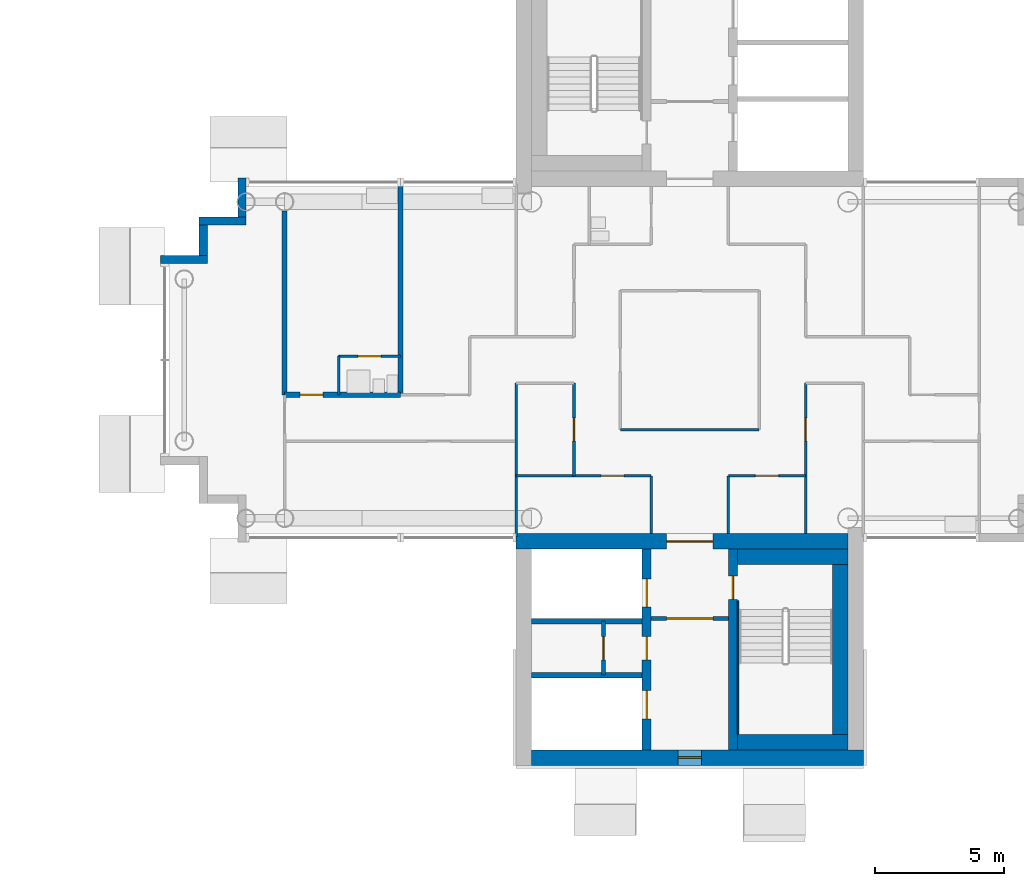
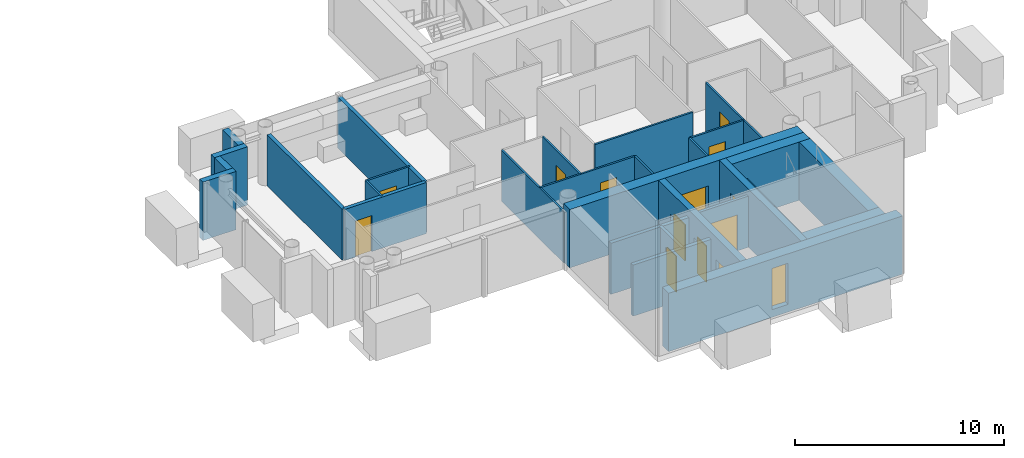
# One storey, part 9 of 18: 29 walls, 13 doors, 1 window, 14 openings.
"""IFC4 building model written with IfcOpenShell, lengths in metres."""

from ifc_helpers import new_model, si_unit, direction, frame, frame_2d, origin, place, context, subcontext, project, spatial, rectangle, extrude, material, layer, layer_set, type_object, element, fill, save


model = new_model("IFC4")

# Units and contexts
model_context = context("Model", 3, precision=1e-05, world=origin(), true_north=direction((0.0, 1.0)))
body_context = subcontext(model_context, "Body", "Model", "MODEL_VIEW")
ifc_project = project(units=[si_unit("LENGTHUNIT", "METRE"), si_unit("AREAUNIT", "SQUARE_METRE"), si_unit("VOLUMEUNIT", "CUBIC_METRE"), si_unit("PLANEANGLEUNIT", "RADIAN"), si_unit("MASSUNIT", "GRAM", prefix="KILO")], contexts=[model_context])

# Site, building, storey
site_placement = place(None, origin())
site = spatial("IfcSite", under=ifc_project, at=site_placement, CompositionType="ELEMENT")
building_placement = place(site_placement, origin())
building = spatial("IfcBuilding", under=site, at=building_placement, Name="Ipe Terrace Towers", CompositionType="ELEMENT")
storey_placement = place(building_placement, frame((0.0, 0.0, 230.0)))
storey = spatial("IfcBuildingStorey", under=building, at=storey_placement, Name="L64", CompositionType="ELEMENT", Elevation=230.0)

# Walls
ifc_material_1 = material(Name="Concrete C40/50 with buff precast cladding", Category="concrete")
ifc_layer_1 = layer(ifc_material_1, 0.320068359375)
ifc_layer_set_1 = layer_set([ifc_layer_1], Name="BUFF CLADDING WALL 320")
wall_type_1 = type_object("IfcWallType", Name="BUFF CLADDING WALL 320", PredefinedType="STANDARD", material=ifc_layer_set_1)
wall_1_placement = place(storey_placement, frame((18.590087890625, 7.070068359375, -0.300048828125), z_axis=(0.0, 0.0, 1.0), x_axis=(0.0, -1.0, 0.0)))
element("IfcWall", 1, at=wall_1_placement, inside=storey, type_object=wall_type_1, Name="T2-W-L64-22a wall", PredefinedType="STANDARD", context=body_context, shape_type="SweptSolid", body=[
    extrude(rectangle(XDim=1.5, YDim=0.320068359375, at=frame_2d((0.75, 0.0))), origin(), (0.0, 0.0, 1.0), 3.400146484375),
])
wall_2_placement = place(storey_placement, frame((18.75, 5.409912109375, -0.300048828125), z_axis=(0.0, 0.0, 1.0), x_axis=(-1.0, 0.0, 0.0)))
element("IfcWall", 2, at=wall_2_placement, inside=storey, type_object=wall_type_1, Name="T2-W-L64-23a wall", PredefinedType="STANDARD", context=body_context, shape_type="SweptSolid", body=[
    extrude(rectangle(XDim=1.820068359375, YDim=0.320068359375, at=frame_2d((0.91015625, 0.0))), origin(), (0.0, 0.0, 1.0), 3.400146484375),
])
wall_3_placement = place(storey_placement, frame((17.090087890625, 5.25, -0.300048828125), z_axis=(0.0, 0.0, 1.0), x_axis=(0.0, -1.0, 0.0)))
element("IfcWall", 3, at=wall_3_placement, inside=storey, type_object=wall_type_1, Name="T2-W-L64-24a wall", PredefinedType="STANDARD", context=body_context, shape_type="SweptSolid", body=[
    extrude(rectangle(XDim=1.179931640625, YDim=0.320068359375, at=frame_2d((0.58984375, 0.0))), origin(), (0.0, 0.0, 1.0), 3.400146484375),
])
wall_4_placement = place(storey_placement, frame((17.25, 3.909912109375, -0.300048828125), z_axis=(0.0, 0.0, 1.0), x_axis=(-1.0, 0.0, 0.0)))
element("IfcWall", 4, at=wall_4_placement, inside=storey, type_object=wall_type_1, Name="T2-W-L64-25a wall", PredefinedType="STANDARD", context=body_context, shape_type="SweptSolid", body=[
    extrude(rectangle(XDim=1.820068359375, YDim=0.320068359375, at=frame_2d((0.91015625, 0.0))), origin(), (0.0, 0.0, 1.0), 3.400146484375),
])

# Wall, opening, door
ifc_material_2 = material(Name="Gypsum board partition", Category="plasterboard")
ifc_layer_2 = layer(ifc_material_2, 0.10009765625)
ifc_layer_set_2 = layer_set([ifc_layer_2], Name="Gypsum board partition 100 mm")
wall_type_2 = type_object("IfcWallType", Name="Gypsum board partition 100 mm", PredefinedType="PARTITIONING", material=ifc_layer_set_2)
wall_5_placement = place(storey_placement, frame((40.5, -4.5, 0.0), z_axis=(0.0, 0.0, 1.0), x_axis=(-1.0, 0.0, 0.0)))
wall_5 = element("IfcWall", 5, at=wall_5_placement, inside=storey, type_object=wall_type_2, Name="Gypsum board partition T2 L64 W01", PredefinedType="PARTITIONING", context=body_context, shape_type="SweptSolid", body=[
    extrude(rectangle(XDim=3.0, YDim=0.10009765625, at=frame_2d((1.5, 0.0))), origin(), (0.0, 0.0, 1.0), 2.97998046875),
])
opening_1_placement = place(wall_5_placement, frame((1.050048828125, 0.0, 0.0)))
opening_1 = element("IfcOpeningElement", 6, at=opening_1_placement, cuts=wall_5, Name="Opening T2-Z4B-08", PredefinedType="OPENING", context=body_context, shape_type="SweptSolid", body=[
    extrude(rectangle(XDim=0.89990234375, YDim=2.10009765625, at=frame_2d((0.449951171875, 1.050048828125))), frame((0.0, 0.06005859375, 0.0), z_axis=(0.0, -1.0, 0.0), x_axis=(1.0, 0.0, 0.0)), (0.0, 0.0, 1.0), 0.1201171875),
])
ifc_material_3 = material(Name="Timber door leaf", Category="wood")
door_type_1 = type_object("IfcDoorType", Name="Lounge door 900 x 2100", OperationType="NOTDEFINED", PredefinedType="DOOR", material=ifc_material_3)
door_1_placement = place(opening_1_placement, origin())
door_1 = element("IfcDoor", 7, at=door_1_placement, inside=storey, type_object=door_type_1, Name="Lounge door T2-Z4B-08", OperationType="SINGLE_SWING_LEFT", OverallHeight=2.10009765625, OverallWidth=0.89990234375, PredefinedType="DOOR", context=body_context, shape_type="SweptSolid", body=[
    extrude(rectangle(XDim=0.89990234375, YDim=2.10009765625, at=frame_2d((0.449951171875, 1.050048828125))), frame((0.0, 0.02490234375, 0.0), z_axis=(0.0, -1.0, 0.0), x_axis=(1.0, 0.0, 0.0)), (0.0, 0.0, 1.0), 0.050048828125),
])
fill(opening_1, door_1)

wall_6_placement = place(storey_placement, frame((34.5, -4.5, 0.0), z_axis=(0.0, 0.0, 1.0), x_axis=(-1.0, 0.0, 0.0)))
wall_6 = element("IfcWall", 8, at=wall_6_placement, inside=storey, type_object=wall_type_2, Name="Gypsum board partition T2 L64 W02", PredefinedType="PARTITIONING", context=body_context, shape_type="SweptSolid", body=[
    extrude(rectangle(XDim=5.25, YDim=0.10009765625, at=frame_2d((2.625, 0.0))), origin(), (0.0, 0.0, 1.0), 2.97998046875),
])
opening_2_placement = place(wall_6_placement, frame((1.050048828125, 0.0, 0.0)))
opening_2 = element("IfcOpeningElement", 9, at=opening_2_placement, cuts=wall_6, Name="Opening T2-Z4B-06", PredefinedType="OPENING", context=body_context, shape_type="SweptSolid", body=[
    extrude(rectangle(XDim=0.89990234375, YDim=2.10009765625, at=frame_2d((0.449951171875, 1.050048828125))), frame((0.0, 0.06005859375, 0.0), z_axis=(0.0, -1.0, 0.0), x_axis=(1.0, 0.0, 0.0)), (0.0, 0.0, 1.0), 0.1201171875),
])
door_2_placement = place(opening_2_placement, origin())
door_2 = element("IfcDoor", 10, at=door_2_placement, inside=storey, type_object=door_type_1, Name="Lounge door T2-Z4B-06", OperationType="SINGLE_SWING_RIGHT", OverallHeight=2.10009765625, OverallWidth=0.89990234375, PredefinedType="DOOR", context=body_context, shape_type="SweptSolid", body=[
    extrude(rectangle(XDim=0.89990234375, YDim=2.10009765625, at=frame_2d((0.449951171875, 1.050048828125))), frame((0.0, 0.02490234375, 0.0), z_axis=(0.0, -1.0, 0.0), x_axis=(1.0, 0.0, 0.0)), (0.0, 0.0, 1.0), 0.050048828125),
])
fill(opening_2, door_2)

# Wall
wall_7_placement = place(storey_placement, frame((38.699951171875, -2.699951171875, 0.0), z_axis=(0.0, 0.0, 1.0), x_axis=(-1.0, 0.0, 0.0)))
element("IfcWall", 11, at=wall_7_placement, inside=storey, type_object=wall_type_2, Name="Gypsum board partition T2 L64 W05", PredefinedType="PARTITIONING", context=body_context, shape_type="SweptSolid", body=[
    extrude(rectangle(XDim=5.39990234375, YDim=0.10009765625, at=frame_2d((2.699951171875, 0.0))), origin(), (0.0, 0.0, 1.0), 2.97998046875),
])

# Wall, opening, door
wall_8_placement = place(storey_placement, frame((24.75, 0.14990234375, 0.0), z_axis=(0.0, 0.0, 1.0), x_axis=(-1.0, 0.0, 0.0)))
wall_8 = element("IfcWall", 12, at=wall_8_placement, inside=storey, type_object=wall_type_2, Name="Gypsum board partition T2 L64 W11", PredefinedType="PARTITIONING", context=body_context, shape_type="SweptSolid", body=[
    extrude(rectangle(XDim=2.39990234375, YDim=0.10009765625, at=frame_2d((1.199951171875, 0.0))), origin(), (0.0, 0.0, 1.0), 2.97998046875),
])
opening_3_placement = place(wall_8_placement, frame((0.75, 0.0, 0.0)))
opening_3 = element("IfcOpeningElement", 13, at=opening_3_placement, cuts=wall_8, Name="Opening T2-Z4B-13", PredefinedType="OPENING", context=body_context, shape_type="SweptSolid", body=[
    extrude(rectangle(XDim=0.89990234375, YDim=2.10009765625, at=frame_2d((0.449951171875, 1.050048828125))), frame((0.0, 0.06005859375, 0.0), z_axis=(0.0, -1.0, 0.0), x_axis=(1.0, 0.0, 0.0)), (0.0, 0.0, 1.0), 0.1201171875),
])
ifc_material_4 = material(Name="Timber door leaf", Category="wood")
door_type_2 = type_object("IfcDoorType", Name="Bathroom door 900 x 2100", OperationType="NOTDEFINED", PredefinedType="DOOR", material=ifc_material_4)
door_3_placement = place(opening_3_placement, origin())
door_3 = element("IfcDoor", 14, at=door_3_placement, inside=storey, type_object=door_type_2, Name="Bathroom door T2-Z4B-13", OperationType="SINGLE_SWING_RIGHT", OverallHeight=2.10009765625, OverallWidth=0.89990234375, PredefinedType="DOOR", context=body_context, shape_type="SweptSolid", body=[
    extrude(rectangle(XDim=0.89990234375, YDim=2.10009765625, at=frame_2d((0.449951171875, 1.050048828125))), frame((0.0, 0.02490234375, 0.0), z_axis=(0.0, -1.0, 0.0), x_axis=(1.0, 0.0, 0.0)), (0.0, 0.0, 1.0), 0.050048828125),
])
fill(opening_3, door_3)

wall_9_placement = place(storey_placement, frame((40.5, -6.75, 0.0), z_axis=(0.0, 0.0, 1.0), x_axis=(0.0, 1.0, 0.0)))
wall_9 = element("IfcWall", 15, at=wall_9_placement, inside=storey, type_object=wall_type_2, Name="Gypsum board partition T2 L64 W21", PredefinedType="PARTITIONING", context=body_context, shape_type="SweptSolid", body=[
    extrude(rectangle(XDim=5.85009765625, YDim=0.10009765625, at=frame_2d((2.925048828125, 0.0))), origin(), (0.0, 0.0, 1.0), 2.97998046875),
])
opening_4_placement = place(wall_9_placement, frame((3.60009765625, 0.0, 0.0)))
opening_4 = element("IfcOpeningElement", 16, at=opening_4_placement, cuts=wall_9, Name="Opening T2-Z4B-07", PredefinedType="OPENING", context=body_context, shape_type="SweptSolid", body=[
    extrude(rectangle(XDim=0.89990234375, YDim=2.10009765625, at=frame_2d((0.449951171875, 1.050048828125))), frame((0.0, 0.06005859375, 0.0), z_axis=(0.0, -1.0, 0.0), x_axis=(1.0, 0.0, 0.0)), (0.0, 0.0, 1.0), 0.1201171875),
])
door_4_placement = place(opening_4_placement, origin())
door_4 = element("IfcDoor", 17, at=door_4_placement, inside=storey, type_object=door_type_1, Name="Lounge door T2-Z4B-07", OperationType="SINGLE_SWING_RIGHT", OverallHeight=2.10009765625, OverallWidth=0.89990234375, PredefinedType="DOOR", context=body_context, shape_type="SweptSolid", body=[
    extrude(rectangle(XDim=0.89990234375, YDim=2.10009765625, at=frame_2d((0.449951171875, 1.050048828125))), frame((0.0, 0.02490234375, 0.0), z_axis=(0.0, -1.0, 0.0), x_axis=(1.0, 0.0, 0.0)), (0.0, 0.0, 1.0), 0.050048828125),
])
fill(opening_4, door_4)

# Walls
for number, where, z_axis, x_axis, name in (
    (18, (37.5, -6.75, 0.0), (0.0, 0.0, 1.0), (0.0, 1.0, 0.0), "Gypsum board partition T2 L64 W24"),
    (19, (34.5, -6.75, 0.0), (0.0, 0.0, 1.0), (0.0, 1.0, 0.0), "Gypsum board partition T2 L64 W26"),
):
    element("IfcWall", number, at=place(storey_placement, frame(where, z_axis=z_axis, x_axis=x_axis)), inside=storey, type_object=wall_type_2, Name=name, PredefinedType="PARTITIONING", context=body_context, shape_type="SweptSolid", body=[
        extrude(rectangle(XDim=2.25, YDim=0.10009765625, at=frame_2d((1.125, 0.0))), origin(), (0.0, 0.0, 1.0), 2.97998046875),
    ])

# Wall, opening, door
wall_10_placement = place(storey_placement, frame((31.5, -4.5, 0.0), z_axis=(0.0, 0.0, 1.0), x_axis=(0.0, 1.0, 0.0)))
wall_10 = element("IfcWall", 20, at=wall_10_placement, inside=storey, type_object=wall_type_2, Name="Gypsum board partition T2 L64 W30", PredefinedType="PARTITIONING", context=body_context, shape_type="SweptSolid", body=[
    extrude(rectangle(XDim=3.60009765625, YDim=0.10009765625, at=frame_2d((1.800048828125, 0.0))), origin(), (0.0, 0.0, 1.0), 2.97998046875),
])
opening_5_placement = place(wall_10_placement, frame((1.35009765625, 0.0, 0.0)))
opening_5 = element("IfcOpeningElement", 21, at=opening_5_placement, cuts=wall_10, Name="Opening T2-Z4B-05", PredefinedType="OPENING", context=body_context, shape_type="SweptSolid", body=[
    extrude(rectangle(XDim=0.89990234375, YDim=2.10009765625, at=frame_2d((0.449951171875, 1.050048828125))), frame((0.0, 0.06005859375, 0.0), z_axis=(0.0, -1.0, 0.0), x_axis=(1.0, 0.0, 0.0)), (0.0, 0.0, 1.0), 0.1201171875),
])
door_5_placement = place(opening_5_placement, origin())
door_5 = element("IfcDoor", 22, at=door_5_placement, inside=storey, type_object=door_type_1, Name="Lounge door T2-Z4B-05", OperationType="SINGLE_SWING_RIGHT", OverallHeight=2.10009765625, OverallWidth=0.89990234375, PredefinedType="DOOR", context=body_context, shape_type="SweptSolid", body=[
    extrude(rectangle(XDim=0.89990234375, YDim=2.10009765625, at=frame_2d((0.449951171875, 1.050048828125))), frame((0.0, 0.02490234375, 0.0), z_axis=(0.0, -1.0, 0.0), x_axis=(1.0, 0.0, 0.0)), (0.0, 0.0, 1.0), 0.050048828125),
])
fill(opening_5, door_5)

# Walls
wall_11_placement = place(storey_placement, frame((29.25, -6.85009765625, 0.0), z_axis=(0.0, 0.0, 1.0), x_axis=(0.0, 1.0, 0.0)))
element("IfcWall", 23, at=wall_11_placement, inside=storey, type_object=wall_type_2, Name="Gypsum board partition T2 L64 W32", PredefinedType="PARTITIONING", context=body_context, shape_type="SweptSolid", body=[
    extrude(rectangle(XDim=5.9501953125, YDim=0.10009765625, at=frame_2d((2.97509765625, 0.0))), origin(), (0.0, 0.0, 1.0), 2.97998046875),
])
wall_12_placement = place(storey_placement, frame((22.35009765625, -1.35009765625, 0.0), z_axis=(0.0, 0.0, 1.0), x_axis=(0.0, 1.0, 0.0)))
element("IfcWall", 24, at=wall_12_placement, inside=storey, type_object=wall_type_2, Name="Gypsum board partition T2 L64 W36", PredefinedType="PARTITIONING", context=body_context, shape_type="SweptSolid", body=[
    extrude(rectangle(XDim=1.5, YDim=0.10009765625, at=frame_2d((0.75, 0.0))), origin(), (0.0, 0.0, 1.0), 2.97998046875),
])

# Wall, opening, door
ifc_material_5 = material(Name="Gypsum board partition", Category="plasterboard")
ifc_layer_3 = layer(ifc_material_5, 0.14990234375)
ifc_layer_set_3 = layer_set([ifc_layer_3], Name="Gypsum board partition 150 mm")
wall_type_3 = type_object("IfcWallType", Name="Gypsum board partition 150 mm", PredefinedType="PARTITIONING", material=ifc_layer_set_3)
wall_13_placement = place(storey_placement, frame((34.5, -10.050048828125, 0.0), z_axis=(0.0, 0.0, 1.0), x_axis=(1.0, 0.0, 0.0)))
wall_13 = element("IfcWall", 25, at=wall_13_placement, inside=storey, type_object=wall_type_3, Name="Gypsum board partition T2 L64 t2c2-lobby-wall", PredefinedType="PARTITIONING", context=body_context, shape_type="SweptSolid", body=[
    extrude(rectangle(XDim=3.0, YDim=0.14990234375, at=frame_2d((1.5, 0.0))), origin(), (0.0, 0.0, 1.0), 2.97998046875),
])
opening_6_placement = place(wall_13_placement, frame((0.60009765625, 0.0, 0.0)))
opening_6 = element("IfcOpeningElement", 26, at=opening_6_placement, cuts=wall_13, Name="Opening T2C2-VD", PredefinedType="OPENING", context=body_context, shape_type="SweptSolid", body=[
    extrude(rectangle(XDim=1.800048828125, YDim=2.10009765625, at=frame_2d((0.89990234375, 1.050048828125))), frame((0.0, 0.0849609375, 0.0), z_axis=(0.0, -1.0, 0.0), x_axis=(1.0, 0.0, 0.0)), (0.0, 0.0, 1.0), 0.169921875),
])
ifc_material_6 = material(Name="Fire-rated timber door leaf", Category="wood")
door_type_3 = type_object("IfcDoorType", Name="Lobby door 1800 x 2100 FD60", OperationType="NOTDEFINED", PredefinedType="DOOR", material=ifc_material_6)
door_6_placement = place(opening_6_placement, origin())
door_6 = element("IfcDoor", 27, at=door_6_placement, inside=storey, type_object=door_type_3, Name="Lobby door T2C2-VD", OperationType="SINGLE_SWING_LEFT", OverallHeight=2.10009765625, OverallWidth=1.800048828125, PredefinedType="DOOR", context=body_context, shape_type="SweptSolid", body=[
    extrude(rectangle(XDim=1.800048828125, YDim=2.10009765625, at=frame_2d((0.89990234375, 1.050048828125))), frame((0.0, 0.02490234375, 0.0), z_axis=(0.0, -1.0, 0.0), x_axis=(1.0, 0.0, 0.0)), (0.0, 0.0, 1.0), 0.050048828125),
])
fill(opening_6, door_6)

wall_14_placement = place(storey_placement, frame((32.64990234375, -10.14990234375, 0.0), z_axis=(0.0, 0.0, 1.0), x_axis=(0.0, -1.0, 0.0)))
wall_14 = element("IfcWall", 28, at=wall_14_placement, inside=storey, type_object=wall_type_3, Name="Gypsum board partition T2 L64 t2c2-q-back", PredefinedType="PARTITIONING", context=body_context, shape_type="SweptSolid", body=[
    extrude(rectangle(XDim=2.10009765625, YDim=0.14990234375, at=frame_2d((1.050048828125, 0.0))), origin(), (0.0, 0.0, 1.0), 2.97998046875),
])
opening_7_placement = place(wall_14_placement, frame((0.60009765625, 0.0, 0.0)))
opening_7 = element("IfcOpeningElement", 29, at=opening_7_placement, cuts=wall_14, Name="Opening T2C2-RB-FD30S", PredefinedType="OPENING", context=body_context, shape_type="SweptSolid", body=[
    extrude(rectangle(XDim=0.89990234375, YDim=2.10009765625, at=frame_2d((0.449951171875, 1.050048828125))), frame((0.0, 0.0849609375, 0.0), z_axis=(0.0, -1.0, 0.0), x_axis=(1.0, 0.0, 0.0)), (0.0, 0.0, 1.0), 0.169921875),
])
ifc_material_7 = material(Name="Fire-rated timber door leaf", Category="wood")
door_type_4 = type_object("IfcDoorType", Name="Service door 900 x 2100 FD30S", OperationType="NOTDEFINED", PredefinedType="DOOR", material=ifc_material_7)
door_7_placement = place(opening_7_placement, origin())
door_7 = element("IfcDoor", 30, at=door_7_placement, inside=storey, type_object=door_type_4, Name="Service door T2C2-RB-FD30S", OperationType="SINGLE_SWING_LEFT", OverallHeight=2.10009765625, OverallWidth=0.89990234375, PredefinedType="DOOR", context=body_context, shape_type="SweptSolid", body=[
    extrude(rectangle(XDim=0.89990234375, YDim=2.10009765625, at=frame_2d((0.449951171875, 1.050048828125))), frame((0.0, 0.02490234375, 0.0), z_axis=(0.0, -1.0, 0.0), x_axis=(1.0, 0.0, 0.0)), (0.0, 0.0, 1.0), 0.050048828125),
])
fill(opening_7, door_7)

# Walls
ifc_material_8 = material(Name="Gypsum board party wall", Category="plasterboard")
ifc_layer_4 = layer(ifc_material_8, 0.199951171875)
ifc_layer_set_4 = layer_set([ifc_layer_4], Name="Gypsum board party wall 200 mm")
wall_type_4 = type_object("IfcWallType", Name="Gypsum board party wall 200 mm", PredefinedType="SOLIDWALL", material=ifc_layer_set_4)
for number, where, z_axis, x_axis, name in (
    (31, (29.85009765625, -12.25, 0.0), (0.0, 0.0, 1.0), (1.0, 0.0, 0.0), "Gypsum board party wall T2 L64 t2c2-shaft-div2"),
    (32, (29.85009765625, -10.14990234375, 0.0), (0.0, 0.0, 1.0), (1.0, 0.0, 0.0), "Gypsum board party wall T2 L64 t2c2-shaft-div1"),
):
    element("IfcWall", number, at=place(storey_placement, frame(where, z_axis=z_axis, x_axis=x_axis)), inside=storey, type_object=wall_type_4, Name=name, PredefinedType="SOLIDWALL", context=body_context, shape_type="SweptSolid", body=[
        extrude(rectangle(XDim=4.2998046875, YDim=0.199951171875, at=frame_2d((2.14990234375, 0.0))), origin(), (0.0, 0.0, 1.0), 2.97998046875),
    ])

# Wall, opening, door
wall_15_placement = place(storey_placement, frame((24.75, -1.35009765625, 0.0), z_axis=(0.0, 0.0, 1.0), x_axis=(-1.0, 0.0, 0.0)))
wall_15 = element("IfcWall", 33, at=wall_15_placement, inside=storey, type_object=wall_type_4, Name="Gypsum board party wall T2 L64 W08", PredefinedType="SOLIDWALL", context=body_context, shape_type="SweptSolid", body=[
    extrude(rectangle(XDim=4.5, YDim=0.199951171875, at=frame_2d((2.25, 0.0))), origin(), (0.0, 0.0, 1.0), 2.97998046875),
])
opening_8_placement = place(wall_15_placement, frame((3.0, 0.0, 0.0)))
opening_8 = element("IfcOpeningElement", 34, at=opening_8_placement, cuts=wall_15, Name="Opening T2-Z4B-12", PredefinedType="OPENING", context=body_context, shape_type="SweptSolid", body=[
    extrude(rectangle(XDim=0.89990234375, YDim=2.10009765625, at=frame_2d((0.449951171875, 1.050048828125))), frame((0.0, 0.10986328125, 0.0), z_axis=(0.0, -1.0, 0.0), x_axis=(1.0, 0.0, 0.0)), (0.0, 0.0, 1.0), 0.219970703125),
])
ifc_material_9 = material(Name="Fire-rated timber door leaf", Category="wood")
door_type_5 = type_object("IfcDoorType", Name="Flat entrance door 900 x 2100 FD30S", OperationType="NOTDEFINED", PredefinedType="DOOR", material=ifc_material_9)
door_8_placement = place(opening_8_placement, origin())
door_8 = element("IfcDoor", 35, at=door_8_placement, inside=storey, type_object=door_type_5, Name="Flat entrance door T2-Z4B-12", OperationType="SINGLE_SWING_RIGHT", OverallHeight=2.10009765625, OverallWidth=0.89990234375, PredefinedType="DOOR", context=body_context, shape_type="SweptSolid", body=[
    extrude(rectangle(XDim=0.89990234375, YDim=2.10009765625, at=frame_2d((0.449951171875, 1.050048828125))), frame((0.0, 0.02490234375, 0.0), z_axis=(0.0, -1.0, 0.0), x_axis=(1.0, 0.0, 0.0)), (0.0, 0.0, 1.0), 0.050048828125),
])
fill(opening_8, door_8)

# Walls
wall_16_placement = place(storey_placement, frame((24.75, -1.35009765625, 0.0), z_axis=(0.0, 0.0, 1.0), x_axis=(0.0, 1.0, 0.0)))
element("IfcWall", 36, at=wall_16_placement, inside=storey, type_object=wall_type_4, Name="Gypsum board party wall T2 L64 W35", PredefinedType="SOLIDWALL", context=body_context, shape_type="SweptSolid", body=[
    extrude(rectangle(XDim=8.2001953125, YDim=0.199951171875, at=frame_2d((4.10009765625, 0.0))), origin(), (0.0, 0.0, 1.0), 2.97998046875),
])
wall_17_placement = place(storey_placement, frame((20.25, -1.35009765625, 0.0), z_axis=(0.0, 0.0, 1.0), x_axis=(0.0, 1.0, 0.0)))
element("IfcWall", 37, at=wall_17_placement, inside=storey, type_object=wall_type_4, Name="Gypsum board party wall T2 L64 W38", PredefinedType="SOLIDWALL", context=body_context, shape_type="SweptSolid", body=[
    extrude(rectangle(XDim=7.150146484375, YDim=0.199951171875, at=frame_2d((3.5751953125, 0.0))), origin(), (0.0, 0.0, 1.0), 2.97998046875),
])

# Wall, openings, doors
ifc_material_10 = material(Name="Concrete C40/50", Category="concrete")
ifc_layer_5 = layer(ifc_material_10, 0.35009765625)
ifc_layer_set_5 = layer_set([ifc_layer_5], Name="RW350 CORE SPINE WALL 350 C40-50")
wall_type_5 = type_object("IfcWallType", Name="RW350 CORE SPINE WALL 350 C40-50", PredefinedType="SHEAR", material=ifc_layer_set_5)
wall_18_placement = place(storey_placement, frame((34.324951171875, -15.14990234375, 0.0), z_axis=(0.0, 0.0, 1.0), x_axis=(0.0, 1.0, 0.0)))
wall_18 = element("IfcWall", 38, at=wall_18_placement, inside=storey, type_object=wall_type_5, Name="Core spine wall T2-C2-Z4-SW1", PredefinedType="SHEAR", context=body_context, shape_type="SweptSolid", body=[
    extrude(rectangle(XDim=7.7998046875, YDim=0.35009765625, at=frame_2d((3.89990234375, 0.0))), origin(), (0.0, 0.0, 1.0), 3.39990234375),
])
opening_9_placement = place(wall_18_placement, frame((5.550048828125, 0.0, 0.0)))
opening_9 = element("IfcOpeningElement", 39, at=opening_9_placement, cuts=wall_18, Name="Opening T2C2-LD1", PredefinedType="OPENING", context=body_context, shape_type="SweptSolid", body=[
    extrude(rectangle(XDim=1.10009765625, YDim=2.10009765625, at=frame_2d((0.550048828125, 1.050048828125))), frame((0.0, 0.18505859375, 0.0), z_axis=(0.0, -1.0, 0.0), x_axis=(1.0, 0.0, 0.0)), (0.0, 0.0, 1.0), 0.3701171875),
])
opening_10_placement = place(wall_18_placement, frame((1.199951171875, 0.0, 0.0)))
opening_10 = element("IfcOpeningElement", 40, at=opening_10_placement, cuts=wall_18, Name="Opening T2C2-LD3", PredefinedType="OPENING", context=body_context, shape_type="SweptSolid", body=[
    extrude(rectangle(XDim=1.10009765625, YDim=2.10009765625, at=frame_2d((0.550048828125, 1.050048828125))), frame((0.0, 0.18505859375, 0.0), z_axis=(0.0, -1.0, 0.0), x_axis=(1.0, 0.0, 0.0)), (0.0, 0.0, 1.0), 0.3701171875),
])
opening_11_placement = place(wall_18_placement, frame((3.5, 0.0, 0.0)))
opening_11 = element("IfcOpeningElement", 41, at=opening_11_placement, cuts=wall_18, Name="Opening T2C2-R1", PredefinedType="OPENING", context=body_context, shape_type="SweptSolid", body=[
    extrude(rectangle(XDim=0.89990234375, YDim=2.10009765625, at=frame_2d((0.449951171875, 1.050048828125))), frame((0.0, 0.18505859375, 0.0), z_axis=(0.0, -1.0, 0.0), x_axis=(1.0, 0.0, 0.0)), (0.0, 0.0, 1.0), 0.3701171875),
])
ifc_material_11 = material(Name="Fire-rated timber door leaf", Category="wood")
door_type_6 = type_object("IfcDoorType", Name="Sliding door 1100 x 2100 FD60", OperationType="SLIDING_TO_LEFT", PredefinedType="DOOR", material=ifc_material_11)
door_9_placement = place(opening_9_placement, origin())
door_9 = element("IfcDoor", 42, at=door_9_placement, inside=storey, type_object=door_type_6, Name="Sliding door T2C2-LD1", OperationType="SLIDING_TO_LEFT", OverallHeight=2.10009765625, OverallWidth=1.10009765625, PredefinedType="DOOR", context=body_context, shape_type="SweptSolid", body=[
    extrude(rectangle(XDim=1.10009765625, YDim=2.10009765625, at=frame_2d((0.550048828125, 1.050048828125))), frame((0.0, 0.02490234375, 0.0), z_axis=(0.0, -1.0, 0.0), x_axis=(1.0, 0.0, 0.0)), (0.0, 0.0, 1.0), 0.050048828125),
])
fill(opening_9, door_9)
door_10_placement = place(opening_10_placement, origin())
door_10 = element("IfcDoor", 43, at=door_10_placement, inside=storey, type_object=door_type_6, Name="Sliding door T2C2-LD3", OperationType="SLIDING_TO_LEFT", OverallHeight=2.10009765625, OverallWidth=1.10009765625, PredefinedType="DOOR", context=body_context, shape_type="SweptSolid", body=[
    extrude(rectangle(XDim=1.10009765625, YDim=2.10009765625, at=frame_2d((0.550048828125, 1.050048828125))), frame((0.0, 0.02490234375, 0.0), z_axis=(0.0, -1.0, 0.0), x_axis=(1.0, 0.0, 0.0)), (0.0, 0.0, 1.0), 0.050048828125),
])
fill(opening_10, door_10)
ifc_material_12 = material(Name="Timber door leaf", Category="wood")
door_type_7 = type_object("IfcDoorType", Name="Store door 900 x 2100", OperationType="NOTDEFINED", PredefinedType="DOOR", material=ifc_material_12)
door_11_placement = place(opening_11_placement, origin())
door_11 = element("IfcDoor", 44, at=door_11_placement, inside=storey, type_object=door_type_7, Name="Store door T2C2-R1", OperationType="SINGLE_SWING_LEFT", OverallHeight=2.10009765625, OverallWidth=0.89990234375, PredefinedType="DOOR", context=body_context, shape_type="SweptSolid", body=[
    extrude(rectangle(XDim=0.89990234375, YDim=2.10009765625, at=frame_2d((0.449951171875, 1.050048828125))), frame((0.0, 0.02490234375, 0.0), z_axis=(0.0, -1.0, 0.0), x_axis=(1.0, 0.0, 0.0)), (0.0, 0.0, 1.0), 0.050048828125),
])
fill(opening_11, door_11)

# Wall, opening, door
wall_19_placement = place(storey_placement, frame((37.675048828125, -15.14990234375, 0.0), z_axis=(0.0, 0.0, 1.0), x_axis=(0.0, 1.0, 0.0)))
wall_19 = element("IfcWall", 45, at=wall_19_placement, inside=storey, type_object=wall_type_5, Name="Core spine wall T2-C2-Z4-SW2", PredefinedType="SHEAR", context=body_context, shape_type="SweptSolid", body=[
    extrude(rectangle(XDim=7.7998046875, YDim=0.35009765625, at=frame_2d((3.89990234375, 0.0))), origin(), (0.0, 0.0, 1.0), 3.39990234375),
])
opening_12_placement = place(wall_19_placement, frame((5.85009765625, 0.0, 0.0)))
opening_12 = element("IfcOpeningElement", 46, at=opening_12_placement, cuts=wall_19, Name="Opening T2C2-SD", PredefinedType="OPENING", context=body_context, shape_type="SweptSolid", body=[
    extrude(rectangle(XDim=0.89990234375, YDim=2.10009765625, at=frame_2d((0.449951171875, 1.050048828125))), frame((0.0, 0.18505859375, 0.0), z_axis=(0.0, -1.0, 0.0), x_axis=(1.0, 0.0, 0.0)), (0.0, 0.0, 1.0), 0.3701171875),
])
ifc_material_13 = material(Name="Fire-rated timber door leaf", Category="wood")
door_type_8 = type_object("IfcDoorType", Name="Stair door 900 x 2100 FD60", OperationType="NOTDEFINED", PredefinedType="DOOR", material=ifc_material_13)
door_12_placement = place(opening_12_placement, origin())
door_12 = element("IfcDoor", 47, at=door_12_placement, inside=storey, type_object=door_type_8, Name="Stair door T2C2-SD", OperationType="SINGLE_SWING_RIGHT", OverallHeight=2.10009765625, OverallWidth=0.89990234375, PredefinedType="DOOR", context=body_context, shape_type="SweptSolid", body=[
    extrude(rectangle(XDim=0.89990234375, YDim=2.10009765625, at=frame_2d((0.449951171875, 1.050048828125))), frame((0.0, 0.02490234375, 0.0), z_axis=(0.0, -1.0, 0.0), x_axis=(1.0, 0.0, 0.0)), (0.0, 0.0, 1.0), 0.050048828125),
])
fill(opening_12, door_12)

# Walls
ifc_material_14 = material(Name="Concrete C40/50", Category="concrete")
ifc_layer_6 = layer(ifc_material_14, 0.050048828125)
ifc_layer_set_6 = layer_set([ifc_layer_6], Name="RW50 CORE INFILL WALL 50 C40-50")
wall_type_6 = type_object("IfcWallType", Name="RW50 CORE INFILL WALL 50 C40-50", PredefinedType="SHEAR", material=ifc_layer_set_6)
wall_20_placement = place(storey_placement, frame((37.875, -9.35009765625, 0.0), z_axis=(0.0, 0.0, 1.0), x_axis=(0.0, -1.0, 0.0)))
element("IfcWall", 48, at=wall_20_placement, inside=storey, type_object=wall_type_6, Name="Core infill wall T2-C2-spine-b", PredefinedType="SHEAR", context=body_context, shape_type="SweptSolid", body=[
    extrude(rectangle(XDim=5.199951171875, YDim=0.050048828125, at=frame_2d((2.60009765625, 0.0))), origin(), (0.0, 0.0, 1.0), 3.39990234375),
])
ifc_material_15 = material(Name="Concrete C40/50", Category="concrete")
ifc_layer_7 = layer(ifc_material_15, 0.60009765625)
ifc_layer_set_7 = layer_set([ifc_layer_7], Name="RW600 CORE INFILL WALL 600 C40-50")
wall_type_7 = type_object("IfcWallType", Name="RW600 CORE INFILL WALL 600 C40-50", PredefinedType="SHEAR", material=ifc_layer_set_7)
wall_21_placement = place(storey_placement, frame((37.85009765625, -14.85009765625, 0.0), z_axis=(0.0, 0.0, 1.0), x_axis=(1.0, 0.0, 0.0)))
element("IfcWall", 49, at=wall_21_placement, inside=storey, type_object=wall_type_7, Name="Core infill wall T2-C2-far", PredefinedType="SHEAR", context=body_context, shape_type="SweptSolid", body=[
    extrude(rectangle(XDim=4.2998046875, YDim=0.60009765625, at=frame_2d((2.14990234375, 0.0))), origin(), (0.0, 0.0, 1.0), 3.39990234375),
])
wall_22_placement = place(storey_placement, frame((41.85009765625, -7.949951171875, 0.0), z_axis=(0.0, 0.0, 1.0), x_axis=(0.0, -1.0, 0.0)))
element("IfcWall", 50, at=wall_22_placement, inside=storey, type_object=wall_type_7, Name="Core infill wall T2-C2-back", PredefinedType="SHEAR", context=body_context, shape_type="SweptSolid", body=[
    extrude(rectangle(XDim=6.60009765625, YDim=0.60009765625, at=frame_2d((3.300048828125, 0.0))), origin(), (0.0, 0.0, 1.0), 3.39990234375),
])
wall_23_placement = place(storey_placement, frame((37.85009765625, -7.64990234375, 0.0), z_axis=(0.0, 0.0, 1.0), x_axis=(1.0, 0.0, 0.0)))
element("IfcWall", 51, at=wall_23_placement, inside=storey, type_object=wall_type_7, Name="Core infill wall T2-C2-near", PredefinedType="SHEAR", context=body_context, shape_type="SweptSolid", body=[
    extrude(rectangle(XDim=4.2998046875, YDim=0.60009765625, at=frame_2d((2.14990234375, 0.0))), origin(), (0.0, 0.0, 1.0), 3.39990234375),
])

# Wall, opening, window
ifc_material_16 = material(Name="Concrete C40/50", Category="concrete")
ifc_layer_8 = layer(ifc_material_16, 0.60009765625)
ifc_layer_set_8 = layer_set([ifc_layer_8], Name="RW600 CORE WALL 600 C40-50")
wall_type_8 = type_object("IfcWallType", Name="RW600 CORE WALL 600 C40-50", PredefinedType="SHEAR", material=ifc_layer_set_8)
wall_24_placement = place(storey_placement, frame((29.85009765625, -15.449951171875, 0.0), z_axis=(0.0, 0.0, 1.0), x_axis=(1.0, 0.0, 0.0)))
wall_24 = element("IfcWall", 52, at=wall_24_placement, inside=storey, type_object=wall_type_8, Name="Core wall T2-C2-Z4-W01", PredefinedType="SHEAR", context=body_context, shape_type="SweptSolid", body=[
    extrude(rectangle(XDim=12.89990234375, YDim=0.60009765625, at=frame_2d((6.449951171875, 0.0))), origin(), (0.0, 0.0, 1.0), 3.39990234375),
])
opening_13_placement = place(wall_24_placement, frame((5.699951171875, 0.0, 0.449951171875)))
opening_13 = element("IfcOpeningElement", 53, at=opening_13_placement, cuts=wall_24, Name="Opening T2-C2-W-01-L64", PredefinedType="OPENING", context=body_context, shape_type="SweptSolid", body=[
    extrude(rectangle(XDim=0.89990234375, YDim=2.39990234375, at=frame_2d((0.449951171875, 1.199951171875))), frame((0.0, 0.31005859375, 0.0), z_axis=(0.0, -1.0, 0.0), x_axis=(1.0, 0.0, 0.0)), (0.0, 0.0, 1.0), 0.6201171875),
])
ifc_material_17 = material(Name="Fire-resistant glazing EI 60", Category="glass")
window_type = type_object("IfcWindowType", Name="CORRIDOR END SLOT WINDOW 900 x 2400 EI 60", PartitioningType="SINGLE_PANEL", PredefinedType="WINDOW", material=ifc_material_17)
window_placement = place(opening_13_placement, origin())
window = element("IfcWindow", 54, at=window_placement, inside=storey, type_object=window_type, Name="W-01 window", OverallHeight=2.39990234375, OverallWidth=0.89990234375, PartitioningType="SINGLE_PANEL", PredefinedType="WINDOW", context=body_context, shape_type="SweptSolid", body=[
    extrude(rectangle(XDim=0.89990234375, YDim=2.39990234375, at=frame_2d((0.449951171875, 1.199951171875))), frame((0.0, 0.030029296875, 0.0), z_axis=(0.0, -1.0, 0.0), x_axis=(1.0, 0.0, 0.0)), (0.0, 0.0, 1.0), 0.06005859375),
])
fill(opening_13, window)

# Wall, opening, door
wall_25_placement = place(storey_placement, frame((42.14990234375, -7.050048828125, 0.0), z_axis=(0.0, 0.0, 1.0), x_axis=(-1.0, 0.0, 0.0)))
wall_25 = element("IfcWall", 55, at=wall_25_placement, inside=storey, type_object=wall_type_8, Name="Core wall T2-C2-Z4-W03", PredefinedType="SHEAR", context=body_context, shape_type="SweptSolid", body=[
    extrude(rectangle(XDim=12.89990234375, YDim=0.60009765625, at=frame_2d((6.449951171875, 0.0))), origin(), (0.0, 0.0, 1.0), 3.39990234375),
])
opening_14_placement = place(wall_25_placement, frame((5.25, 0.0, 0.0)))
opening_14 = element("IfcOpeningElement", 56, at=opening_14_placement, cuts=wall_25, Name="Opening T2C2-ND", PredefinedType="OPENING", context=body_context, shape_type="SweptSolid", body=[
    extrude(rectangle(XDim=1.800048828125, YDim=2.10009765625, at=frame_2d((0.89990234375, 1.050048828125))), frame((0.0, 0.31005859375, 0.0), z_axis=(0.0, -1.0, 0.0), x_axis=(1.0, 0.0, 0.0)), (0.0, 0.0, 1.0), 0.6201171875),
])
ifc_material_18 = material(Name="Fire-rated timber door leaf", Category="wood")
door_type_9 = type_object("IfcDoorType", Name="Fire door 1800 x 2100 FD30S", OperationType="NOTDEFINED", PredefinedType="DOOR", material=ifc_material_18)
door_13_placement = place(opening_14_placement, origin())
door_13 = element("IfcDoor", 57, at=door_13_placement, inside=storey, type_object=door_type_9, Name="Fire door T2C2-ND", OperationType="SINGLE_SWING_LEFT", OverallHeight=2.10009765625, OverallWidth=1.800048828125, PredefinedType="DOOR", context=body_context, shape_type="SweptSolid", body=[
    extrude(rectangle(XDim=1.800048828125, YDim=2.10009765625, at=frame_2d((0.89990234375, 1.050048828125))), frame((0.0, 0.02490234375, 0.0), z_axis=(0.0, -1.0, 0.0), x_axis=(1.0, 0.0, 0.0)), (0.0, 0.0, 1.0), 0.050048828125),
])
fill(opening_14, door_13)

save(model, "model.ifc")
